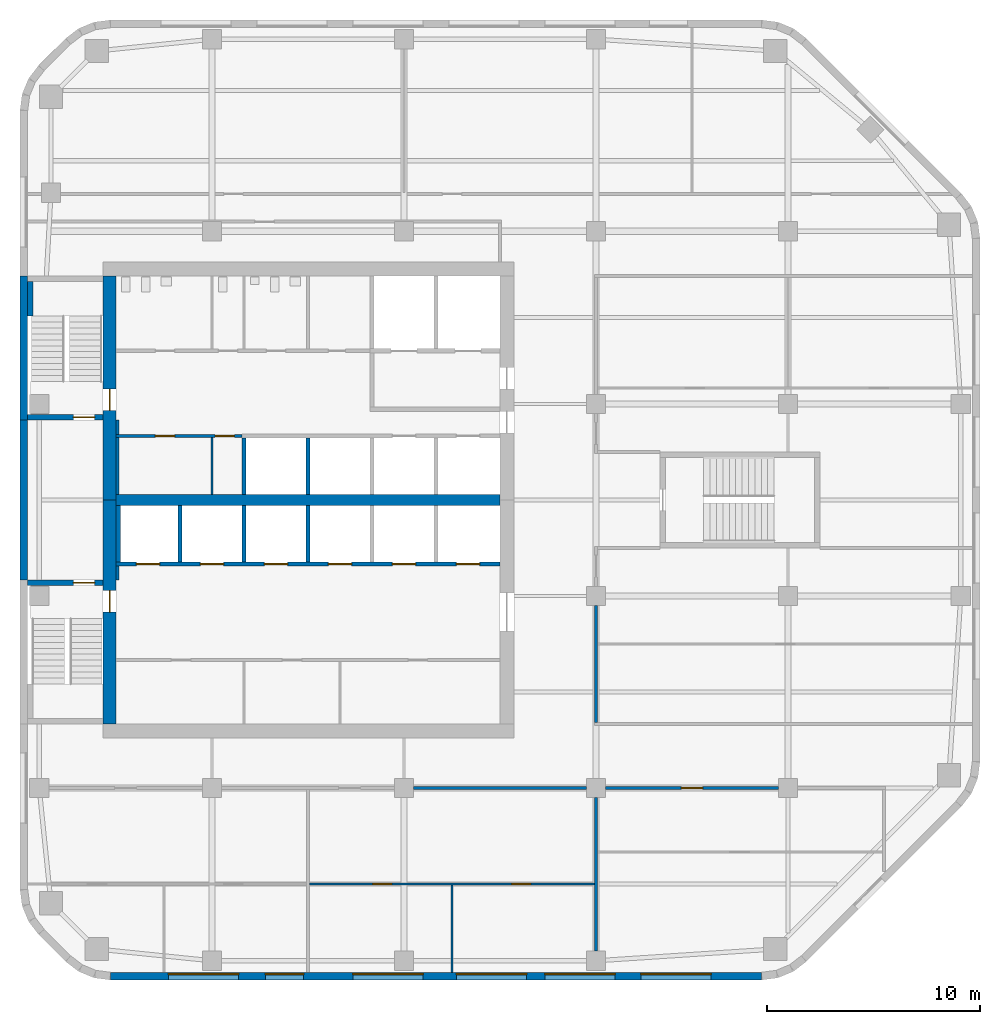
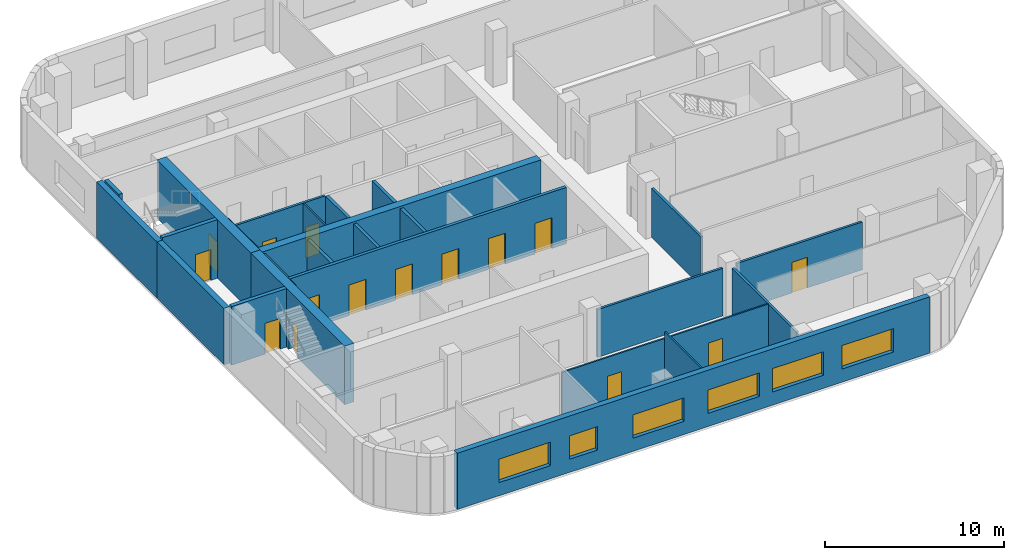
# One storey, part 3 of 8: 27 walls, 15 doors, 6 windows, 21 openings.
"""IFC4 building model written with IfcOpenShell, lengths in metres."""

from ifc_helpers import new_model, si_unit, direction, frame, frame_2d, origin, place, context, subcontext, project, spatial, rectangle, extrude, material, layer, layer_set, type_object, element, fill, save


model = new_model("IFC4")

# Units and contexts
model_context = context("Model", 3, precision=1e-05, world=origin(), true_north=direction((0.0, 1.0)))
body_context = subcontext(model_context, "Body", "Model", "MODEL_VIEW")
ifc_project = project(units=[si_unit("LENGTHUNIT", "METRE"), si_unit("AREAUNIT", "SQUARE_METRE"), si_unit("VOLUMEUNIT", "CUBIC_METRE"), si_unit("PLANEANGLEUNIT", "RADIAN"), si_unit("MASSUNIT", "GRAM", prefix="KILO")], contexts=[model_context])

# Site, building, storey
site_placement = place(None, origin())
site = spatial("IfcSite", under=ifc_project, at=site_placement, CompositionType="ELEMENT")
building_placement = place(site_placement, origin())
building = spatial("IfcBuilding", under=site, at=building_placement, Name="Cinnabar Reach Civic Tower", CompositionType="ELEMENT")
storey_placement = place(building_placement, frame((0.0, 0.0, 181.0)))
storey = spatial("IfcBuildingStorey", under=building, at=storey_placement, Name="L43", CompositionType="ELEMENT", Elevation=181.0)

# Wall, openings, windows
ifc_material_1 = material(Name="Facing brick with insulated backing", Category="masonry")
ifc_layer_1 = layer(ifc_material_1, 0.36)
ifc_layer_set_1 = layer_set([ifc_layer_1], Name="Brick pier and spandrel wall")
wall_type_1 = type_object("IfcWallType", Name="Brick pier and spandrel wall", PredefinedType="STANDARD", material=ifc_layer_set_1)
wall_1_placement = place(storey_placement, frame((4.2426, 9.18, 0.0), z_axis=(0.0, 0.0, 1.0), x_axis=(1.0, 0.0, 0.0)))
wall_1 = element("IfcWall", 1, at=wall_1_placement, inside=storey, type_object=wall_type_1, Name="Brick facade wall", PredefinedType="STANDARD", context=body_context, shape_type="SweptSolid", body=[
    extrude(rectangle(XDim=30.5148, YDim=0.36, at=frame_2d((15.2574, 0.0))), origin(), (0.0, 0.0, 1.0), 3.85),
])
opening_1_placement = place(wall_1_placement, frame((2.7074, 0.0, 0.9)))
opening_1 = element("IfcOpeningElement", 2, at=opening_1_placement, cuts=wall_1, Name="Opening W1881", PredefinedType="OPENING", context=body_context, shape_type="SweptSolid", body=[
    extrude(rectangle(XDim=3.3, YDim=1.6, at=frame_2d((1.65, 0.8))), frame((0.0, 0.19, 0.0), z_axis=(0.0, -1.0, 0.0), x_axis=(1.0, 0.0, 0.0)), (0.0, 0.0, 1.0), 0.38),
])
opening_2_placement = place(wall_1_placement, frame((7.2574, 0.0, 0.9)))
opening_2 = element("IfcOpeningElement", 3, at=opening_2_placement, cuts=wall_1, Name="Opening W1882", PredefinedType="OPENING", context=body_context, shape_type="SweptSolid", body=[
    extrude(rectangle(XDim=1.8, YDim=1.6, at=frame_2d((0.9, 0.8))), frame((0.0, 0.19, 0.0), z_axis=(0.0, -1.0, 0.0), x_axis=(1.0, 0.0, 0.0)), (0.0, 0.0, 1.0), 0.38),
])
opening_3_placement = place(wall_1_placement, frame((11.3574, 0.0, 0.9)))
opening_3 = element("IfcOpeningElement", 4, at=opening_3_placement, cuts=wall_1, Name="Opening W1883", PredefinedType="OPENING", context=body_context, shape_type="SweptSolid", body=[
    extrude(rectangle(XDim=3.3, YDim=1.6, at=frame_2d((1.65, 0.8))), frame((0.0, 0.19, 0.0), z_axis=(0.0, -1.0, 0.0), x_axis=(1.0, 0.0, 0.0)), (0.0, 0.0, 1.0), 0.38),
])
opening_4_placement = place(wall_1_placement, frame((16.2074, 0.0, 0.9)))
opening_4 = element("IfcOpeningElement", 5, at=opening_4_placement, cuts=wall_1, Name="Opening W1884", PredefinedType="OPENING", context=body_context, shape_type="SweptSolid", body=[
    extrude(rectangle(XDim=3.3, YDim=1.6, at=frame_2d((1.65, 0.8))), frame((0.0, 0.19, 0.0), z_axis=(0.0, -1.0, 0.0), x_axis=(1.0, 0.0, 0.0)), (0.0, 0.0, 1.0), 0.38),
])
opening_5_placement = place(wall_1_placement, frame((20.3574, 0.0, 0.9)))
opening_5 = element("IfcOpeningElement", 6, at=opening_5_placement, cuts=wall_1, Name="Opening W1885", PredefinedType="OPENING", context=body_context, shape_type="SweptSolid", body=[
    extrude(rectangle(XDim=3.3, YDim=1.6, at=frame_2d((1.65, 0.8))), frame((0.0, 0.19, 0.0), z_axis=(0.0, -1.0, 0.0), x_axis=(1.0, 0.0, 0.0)), (0.0, 0.0, 1.0), 0.38),
])
opening_6_placement = place(wall_1_placement, frame((24.8574, 0.0, 0.9)))
opening_6 = element("IfcOpeningElement", 7, at=opening_6_placement, cuts=wall_1, Name="Opening W1886", PredefinedType="OPENING", context=body_context, shape_type="SweptSolid", body=[
    extrude(rectangle(XDim=3.3, YDim=1.6, at=frame_2d((1.65, 0.8))), frame((0.0, 0.19, 0.0), z_axis=(0.0, -1.0, 0.0), x_axis=(1.0, 0.0, 0.0)), (0.0, 0.0, 1.0), 0.38),
])
ifc_material_2 = material(Name="Clear double glazing in aluminium frame", Category="aluminium")
window_type_1 = type_object("IfcWindowType", Name="Deep-set window A", PartitioningType="SINGLE_PANEL", PredefinedType="WINDOW", material=ifc_material_2)
window_1_placement = place(opening_1_placement, origin())
window_1 = element("IfcWindow", 8, at=window_1_placement, inside=storey, type_object=window_type_1, Name="Window south face", OverallHeight=1.6, OverallWidth=3.3, PartitioningType="SINGLE_PANEL", PredefinedType="WINDOW", context=body_context, shape_type="SweptSolid", body=[
    extrude(rectangle(XDim=3.3, YDim=1.6, at=frame_2d((1.65, 0.8))), frame((0.0, 0.13, 0.0), z_axis=(0.0, -1.0, 0.0), x_axis=(1.0, 0.0, 0.0)), (0.0, 0.0, 1.0), 0.06),
])
fill(opening_1, window_1)
window_2_placement = place(opening_3_placement, origin())
window_2 = element("IfcWindow", 9, at=window_2_placement, inside=storey, type_object=window_type_1, Name="Window south face", OverallHeight=1.6, OverallWidth=3.3, PartitioningType="SINGLE_PANEL", PredefinedType="WINDOW", context=body_context, shape_type="SweptSolid", body=[
    extrude(rectangle(XDim=3.3, YDim=1.6, at=frame_2d((1.65, 0.8))), frame((0.0, 0.13, 0.0), z_axis=(0.0, -1.0, 0.0), x_axis=(1.0, 0.0, 0.0)), (0.0, 0.0, 1.0), 0.06),
])
fill(opening_3, window_2)
window_3_placement = place(opening_4_placement, origin())
window_3 = element("IfcWindow", 10, at=window_3_placement, inside=storey, type_object=window_type_1, Name="Window south face", OverallHeight=1.6, OverallWidth=3.3, PartitioningType="SINGLE_PANEL", PredefinedType="WINDOW", context=body_context, shape_type="SweptSolid", body=[
    extrude(rectangle(XDim=3.3, YDim=1.6, at=frame_2d((1.65, 0.8))), frame((0.0, 0.13, 0.0), z_axis=(0.0, -1.0, 0.0), x_axis=(1.0, 0.0, 0.0)), (0.0, 0.0, 1.0), 0.06),
])
fill(opening_4, window_3)
window_4_placement = place(opening_5_placement, origin())
window_4 = element("IfcWindow", 11, at=window_4_placement, inside=storey, type_object=window_type_1, Name="Window south face", OverallHeight=1.6, OverallWidth=3.3, PartitioningType="SINGLE_PANEL", PredefinedType="WINDOW", context=body_context, shape_type="SweptSolid", body=[
    extrude(rectangle(XDim=3.3, YDim=1.6, at=frame_2d((1.65, 0.8))), frame((0.0, 0.13, 0.0), z_axis=(0.0, -1.0, 0.0), x_axis=(1.0, 0.0, 0.0)), (0.0, 0.0, 1.0), 0.06),
])
fill(opening_5, window_4)
window_5_placement = place(opening_6_placement, origin())
window_5 = element("IfcWindow", 12, at=window_5_placement, inside=storey, type_object=window_type_1, Name="Window south face", OverallHeight=1.6, OverallWidth=3.3, PartitioningType="SINGLE_PANEL", PredefinedType="WINDOW", context=body_context, shape_type="SweptSolid", body=[
    extrude(rectangle(XDim=3.3, YDim=1.6, at=frame_2d((1.65, 0.8))), frame((0.0, 0.13, 0.0), z_axis=(0.0, -1.0, 0.0), x_axis=(1.0, 0.0, 0.0)), (0.0, 0.0, 1.0), 0.06),
])
fill(opening_6, window_5)
window_type_2 = type_object("IfcWindowType", Name="Deep-set window D", PartitioningType="SINGLE_PANEL", PredefinedType="WINDOW", material=ifc_material_2)
window_6_placement = place(opening_2_placement, origin())
window_6 = element("IfcWindow", 13, at=window_6_placement, inside=storey, type_object=window_type_2, Name="Window south face", OverallHeight=1.6, OverallWidth=1.8, PartitioningType="SINGLE_PANEL", PredefinedType="WINDOW", context=body_context, shape_type="SweptSolid", body=[
    extrude(rectangle(XDim=1.8, YDim=1.6, at=frame_2d((0.9, 0.8))), frame((0.0, 0.13, 0.0), z_axis=(0.0, -1.0, 0.0), x_axis=(1.0, 0.0, 0.0)), (0.0, 0.0, 1.0), 0.06),
])
fill(opening_2, window_6)

# Walls
wall_2_placement = place(storey_placement, frame((0.18, 42.0, 0.0), z_axis=(0.0, 0.0, 1.0), x_axis=(0.0, -1.0, 0.0)))
element("IfcWall", 14, at=wall_2_placement, inside=storey, type_object=wall_type_1, Name="Brick facade wall", PredefinedType="STANDARD", context=body_context, shape_type="SweptSolid", body=[
    extrude(rectangle(XDim=6.75, YDim=0.36, at=frame_2d((3.375, 0.0))), origin(), (0.0, 0.0, 1.0), 3.85),
])
wall_3_placement = place(storey_placement, frame((0.18, 35.25, 0.0), z_axis=(0.0, 0.0, 1.0), x_axis=(0.0, -1.0, 0.0)))
element("IfcWall", 15, at=wall_3_placement, inside=storey, type_object=wall_type_1, Name="Brick facade wall", PredefinedType="STANDARD", context=body_context, shape_type="SweptSolid", body=[
    extrude(rectangle(XDim=7.5, YDim=0.36, at=frame_2d((3.75, 0.0))), origin(), (0.0, 0.0, 1.0), 3.85),
])
ifc_material_3 = material(Name="Concrete C60", Category="concrete")
ifc_layer_2 = layer(ifc_material_3, 0.5)
ifc_layer_set_2 = layer_set([ifc_layer_2], Name="Core wall 500 EI 180")
wall_type_2 = type_object("IfcWallType", Name="Core wall 500 EI 180", PredefinedType="SOLIDWALL", material=ifc_layer_set_2)
wall_4_placement = place(storey_placement, frame((4.5, 31.5, 0.0), z_axis=(0.0, 0.0, 1.0), x_axis=(1.0, 0.0, 0.0)))
element("IfcWall", 16, at=wall_4_placement, inside=storey, type_object=wall_type_2, Name="Core spine wall T1 L43", PredefinedType="SOLIDWALL", context=body_context, shape_type="SweptSolid", body=[
    extrude(rectangle(XDim=18.0, YDim=0.5, at=frame_2d((9.0, 0.0))), origin(), (0.0, 0.0, 1.0), 4.0),
])

# Wall, opening, door
ifc_material_4 = material(Name="Concrete C70", Category="concrete")
ifc_layer_3 = layer(ifc_material_4, 0.6)
ifc_layer_set_3 = layer_set([ifc_layer_3], Name="Core wall 600 EI 180")
wall_type_3 = type_object("IfcWallType", Name="Core wall 600 EI 180", PredefinedType="SOLIDWALL", material=ifc_layer_set_3)
wall_5_placement = place(storey_placement, frame((4.2, 42.0, 0.0), z_axis=(0.0, 0.0, 1.0), x_axis=(0.0, -1.0, 0.0)))
wall_5 = element("IfcWall", 17, at=wall_5_placement, inside=storey, type_object=wall_type_3, Name="Core wall T1 L43 W", PredefinedType="SOLIDWALL", context=body_context, shape_type="SweptSolid", body=[
    extrude(rectangle(XDim=10.5, YDim=0.6, at=frame_2d((5.25, 0.0))), origin(), (0.0, 0.0, 1.0), 4.0),
])
opening_7_placement = place(wall_5_placement, frame((5.3, 0.0, 0.0)))
opening_7 = element("IfcOpeningElement", 18, at=opening_7_placement, cuts=wall_5, Name="Opening D4753", PredefinedType="OPENING", context=body_context, shape_type="SweptSolid", body=[
    extrude(rectangle(XDim=1.0, YDim=2.1, at=frame_2d((0.5, 1.05))), frame((0.0, 0.31, 0.0), z_axis=(0.0, -1.0, 0.0), x_axis=(1.0, 0.0, 0.0)), (0.0, 0.0, 1.0), 0.62),
])
ifc_material_5 = material(Name="Timber door leaf in steel frame", Category="steel")
door_type_1 = type_object("IfcDoorType", Name="Stair door 1000 x 2100 T1", OperationType="SINGLE_SWING_LEFT", PredefinedType="DOOR", material=ifc_material_5)
door_1_placement = place(opening_7_placement, frame((1.0, 0.0, 0.0), z_axis=(0.0, 0.0, 1.0), x_axis=(-1.0, 0.0, 0.0)))
door_1 = element("IfcDoor", 19, at=door_1_placement, inside=storey, type_object=door_type_1, Name="Door D4753", OperationType="SINGLE_SWING_LEFT", OverallHeight=2.1, OverallWidth=1.0, PredefinedType="DOOR", context=body_context, shape_type="SweptSolid", body=[
    extrude(rectangle(XDim=1.0, YDim=2.1, at=frame_2d((0.5, 1.05))), frame((0.0, 0.025, 0.0), z_axis=(0.0, -1.0, 0.0), x_axis=(1.0, 0.0, 0.0)), (0.0, 0.0, 1.0), 0.05),
])
fill(opening_7, door_1)

wall_6_placement = place(storey_placement, frame((4.2, 31.5, 0.0), z_axis=(0.0, 0.0, 1.0), x_axis=(0.0, -1.0, 0.0)))
wall_6 = element("IfcWall", 20, at=wall_6_placement, inside=storey, type_object=wall_type_3, Name="Core wall T1 L43 W2", PredefinedType="SOLIDWALL", context=body_context, shape_type="SweptSolid", body=[
    extrude(rectangle(XDim=10.5, YDim=0.6, at=frame_2d((5.25, 0.0))), origin(), (0.0, 0.0, 1.0), 4.0),
])
opening_8_placement = place(wall_6_placement, frame((4.25, 0.0, 0.0)))
opening_8 = element("IfcOpeningElement", 21, at=opening_8_placement, cuts=wall_6, Name="Opening D4751", PredefinedType="OPENING", context=body_context, shape_type="SweptSolid", body=[
    extrude(rectangle(XDim=1.0, YDim=2.1, at=frame_2d((0.5, 1.05))), frame((0.0, 0.31, 0.0), z_axis=(0.0, -1.0, 0.0), x_axis=(1.0, 0.0, 0.0)), (0.0, 0.0, 1.0), 0.62),
])
door_2_placement = place(opening_8_placement, frame((1.0, 0.0, 0.0), z_axis=(0.0, 0.0, 1.0), x_axis=(-1.0, 0.0, 0.0)))
door_2 = element("IfcDoor", 22, at=door_2_placement, inside=storey, type_object=door_type_1, Name="Door D4751", OperationType="SINGLE_SWING_RIGHT", OverallHeight=2.1, OverallWidth=1.0, PredefinedType="DOOR", context=body_context, shape_type="SweptSolid", body=[
    extrude(rectangle(XDim=1.0, YDim=2.1, at=frame_2d((0.5, 1.05))), frame((0.0, 0.025, 0.0), z_axis=(0.0, -1.0, 0.0), x_axis=(1.0, 0.0, 0.0)), (0.0, 0.0, 1.0), 0.05),
])
fill(opening_8, door_2)

# Wall
ifc_material_6 = material(Name="Gypsum board on steel studs, double layer", Category="steel")
ifc_layer_4 = layer(ifc_material_6, 0.15)
ifc_layer_set_4 = layer_set([ifc_layer_4], Name="Corridor wall 150 T1")
wall_type_4 = type_object("IfcWallType", Name="Corridor wall 150 T1", PredefinedType="PARTITIONING", material=ifc_layer_set_4)
wall_7_placement = place(storey_placement, frame((18.45, 18.0, 0.0), z_axis=(0.0, 0.0, 1.0), x_axis=(1.0, 0.0, 0.0)))
element("IfcWall", 23, at=wall_7_placement, inside=storey, type_object=wall_type_4, Name="Corridor wall 22", PredefinedType="PARTITIONING", context=body_context, shape_type="SweptSolid", body=[
    extrude(rectangle(XDim=8.1, YDim=0.15, at=frame_2d((4.05, 0.0))), origin(), (0.0, 0.0, 1.0), 3.262),
])

# Wall, opening, door
wall_8_placement = place(storey_placement, frame((27.45, 18.0, 0.0), z_axis=(0.0, 0.0, 1.0), x_axis=(1.0, 0.0, 0.0)))
wall_8 = element("IfcWall", 24, at=wall_8_placement, inside=storey, type_object=wall_type_4, Name="Corridor wall 23", PredefinedType="PARTITIONING", context=body_context, shape_type="SweptSolid", body=[
    extrude(rectangle(XDim=8.1, YDim=0.15, at=frame_2d((4.05, 0.0))), origin(), (0.0, 0.0, 1.0), 3.262),
])
opening_9_placement = place(wall_8_placement, frame((3.55, 0.0, 0.0)))
opening_9 = element("IfcOpeningElement", 25, at=opening_9_placement, cuts=wall_8, Name="Opening D4789", PredefinedType="OPENING", context=body_context, shape_type="SweptSolid", body=[
    extrude(rectangle(XDim=1.0, YDim=2.1, at=frame_2d((0.5, 1.05))), frame((0.0, 0.085, 0.0), z_axis=(0.0, -1.0, 0.0), x_axis=(1.0, 0.0, 0.0)), (0.0, 0.0, 1.0), 0.17),
])
door_type_2 = type_object("IfcDoorType", Name="Tenancy entrance door 1000 x 2100 T1", OperationType="SINGLE_SWING_LEFT", PredefinedType="DOOR", material=ifc_material_5)
door_3_placement = place(opening_9_placement, frame((1.0, 0.0, 0.0), z_axis=(0.0, 0.0, 1.0), x_axis=(-1.0, 0.0, 0.0)))
door_3 = element("IfcDoor", 26, at=door_3_placement, inside=storey, type_object=door_type_2, Name="Door D4789", OperationType="SINGLE_SWING_RIGHT", OverallHeight=2.1, OverallWidth=1.0, PredefinedType="DOOR", context=body_context, shape_type="SweptSolid", body=[
    extrude(rectangle(XDim=1.0, YDim=2.1, at=frame_2d((0.5, 1.05))), frame((0.0, 0.025, 0.0), z_axis=(0.0, -1.0, 0.0), x_axis=(1.0, 0.0, 0.0)), (0.0, 0.0, 1.0), 0.05),
])
fill(opening_9, door_3)

# Wall
wall_9_placement = place(storey_placement, frame((27.0, 21.075, 0.0), z_axis=(0.0, 0.0, 1.0), x_axis=(0.0, 1.0, 0.0)))
element("IfcWall", 27, at=wall_9_placement, inside=storey, type_object=wall_type_4, Name="Corridor wall 30", PredefinedType="PARTITIONING", context=body_context, shape_type="SweptSolid", body=[
    extrude(rectangle(XDim=5.475, YDim=0.15, at=frame_2d((2.7375, 0.0))), origin(), (0.0, 0.0, 1.0), 3.362),
])

# Wall, openings, doors
wall_10_placement = place(storey_placement, frame((4.5, 34.5, 0.0), z_axis=(0.0, 0.0, 1.0), x_axis=(1.0, 0.0, 0.0)))
wall_10 = element("IfcWall", 28, at=wall_10_placement, inside=storey, type_object=wall_type_4, Name="Corridor wall 34", PredefinedType="PARTITIONING", context=body_context, shape_type="SweptSolid", body=[
    extrude(rectangle(XDim=5.9, YDim=0.15, at=frame_2d((2.95, 0.0))), origin(), (0.0, 0.0, 1.0), 3.85),
])
opening_10_placement = place(wall_10_placement, frame((1.85, 0.0, 0.0)))
opening_10 = element("IfcOpeningElement", 29, at=opening_10_placement, cuts=wall_10, Name="Opening D4772", PredefinedType="OPENING", context=body_context, shape_type="SweptSolid", body=[
    extrude(rectangle(XDim=0.9, YDim=2.1, at=frame_2d((0.45, 1.05))), frame((0.0, 0.085, 0.0), z_axis=(0.0, -1.0, 0.0), x_axis=(1.0, 0.0, 0.0)), (0.0, 0.0, 1.0), 0.17),
])
opening_11_placement = place(wall_10_placement, frame((4.65, 0.0, 0.0)))
opening_11 = element("IfcOpeningElement", 30, at=opening_11_placement, cuts=wall_10, Name="Opening D4773", PredefinedType="OPENING", context=body_context, shape_type="SweptSolid", body=[
    extrude(rectangle(XDim=0.9, YDim=2.1, at=frame_2d((0.45, 1.05))), frame((0.0, 0.085, 0.0), z_axis=(0.0, -1.0, 0.0), x_axis=(1.0, 0.0, 0.0)), (0.0, 0.0, 1.0), 0.17),
])
door_type_3 = type_object("IfcDoorType", Name="Single swing door 900 x 2100 corridor T1", OperationType="SINGLE_SWING_LEFT", PredefinedType="DOOR", material=ifc_material_5)
door_4_placement = place(opening_10_placement, frame((0.9, 0.0, 0.0), z_axis=(0.0, 0.0, 1.0), x_axis=(-1.0, 0.0, 0.0)))
door_4 = element("IfcDoor", 31, at=door_4_placement, inside=storey, type_object=door_type_3, Name="Door D4772", OperationType="SINGLE_SWING_RIGHT", OverallHeight=2.1, OverallWidth=0.9, PredefinedType="DOOR", context=body_context, shape_type="SweptSolid", body=[
    extrude(rectangle(XDim=0.9, YDim=2.1, at=frame_2d((0.45, 1.05))), frame((0.0, 0.025, 0.0), z_axis=(0.0, -1.0, 0.0), x_axis=(1.0, 0.0, 0.0)), (0.0, 0.0, 1.0), 0.05),
])
fill(opening_10, door_4)
door_5_placement = place(opening_11_placement, frame((0.9, 0.0, 0.0), z_axis=(0.0, 0.0, 1.0), x_axis=(-1.0, 0.0, 0.0)))
door_5 = element("IfcDoor", 32, at=door_5_placement, inside=storey, type_object=door_type_3, Name="Door D4773", OperationType="SINGLE_SWING_RIGHT", OverallHeight=2.1, OverallWidth=0.9, PredefinedType="DOOR", context=body_context, shape_type="SweptSolid", body=[
    extrude(rectangle(XDim=0.9, YDim=2.1, at=frame_2d((0.45, 1.05))), frame((0.0, 0.025, 0.0), z_axis=(0.0, -1.0, 0.0), x_axis=(1.0, 0.0, 0.0)), (0.0, 0.0, 1.0), 0.05),
])
fill(opening_11, door_5)

# Walls
wall_11_placement = place(storey_placement, frame((4.575, 34.575, 0.0), z_axis=(0.0, 0.0, 1.0), x_axis=(0.0, 1.0, 0.0)))
element("IfcWall", 33, at=wall_11_placement, inside=storey, type_object=wall_type_4, Name="Corridor wall 36", PredefinedType="PARTITIONING", context=body_context, shape_type="SweptSolid", body=[
    extrude(rectangle(XDim=0.675, YDim=0.15, at=frame_2d((0.3375, 0.0))), origin(), (0.0, 0.0, 1.0), 3.85),
])
wall_12_placement = place(storey_placement, frame((4.575, 31.75, 0.0), z_axis=(0.0, 0.0, 1.0), x_axis=(0.0, 1.0, 0.0)))
element("IfcWall", 34, at=wall_12_placement, inside=storey, type_object=wall_type_4, Name="Corridor wall 37", PredefinedType="PARTITIONING", context=body_context, shape_type="SweptSolid", body=[
    extrude(rectangle(XDim=2.675, YDim=0.15, at=frame_2d((1.3375, 0.0))), origin(), (0.0, 0.0, 1.0), 3.85),
])
wall_13_placement = place(storey_placement, frame((4.575, 27.75, 0.0), z_axis=(0.0, 0.0, 1.0), x_axis=(0.0, 1.0, 0.0)))
element("IfcWall", 35, at=wall_13_placement, inside=storey, type_object=wall_type_4, Name="Corridor wall 41", PredefinedType="PARTITIONING", context=body_context, shape_type="SweptSolid", body=[
    extrude(rectangle(XDim=0.65, YDim=0.15, at=frame_2d((0.325, 0.0))), origin(), (0.0, 0.0, 1.0), 3.85),
])

# Wall, openings, doors
ifc_material_7 = material(Name="Blockwork", Category="masonry")
ifc_layer_5 = layer(ifc_material_7, 0.2)
ifc_layer_set_5 = layer_set([ifc_layer_5], Name="Lift shaft wall 200 T1")
wall_type_5 = type_object("IfcWallType", Name="Lift shaft wall 200 T1", PredefinedType="PARTITIONING", material=ifc_layer_set_5)
wall_14_placement = place(storey_placement, frame((4.5, 28.5, 0.0), z_axis=(0.0, 0.0, 1.0), x_axis=(1.0, 0.0, 0.0)))
wall_14 = element("IfcWall", 36, at=wall_14_placement, inside=storey, type_object=wall_type_5, Name="Lift shaft wall 4", PredefinedType="PARTITIONING", context=body_context, shape_type="SweptSolid", body=[
    extrude(rectangle(XDim=18.0, YDim=0.2, at=frame_2d((9.0, 0.0))), origin(), (0.0, 0.0, 1.0), 3.85),
])
opening_12_placement = place(wall_14_placement, frame((0.95, 0.0, 0.0)))
opening_12 = element("IfcOpeningElement", 37, at=opening_12_placement, cuts=wall_14, Name="Opening D4755", PredefinedType="OPENING", context=body_context, shape_type="SweptSolid", body=[
    extrude(rectangle(XDim=1.1, YDim=2.1, at=frame_2d((0.55, 1.05))), frame((0.0, 0.11, 0.0), z_axis=(0.0, -1.0, 0.0), x_axis=(1.0, 0.0, 0.0)), (0.0, 0.0, 1.0), 0.22),
])
opening_13_placement = place(wall_14_placement, frame((3.95, 0.0, 0.0)))
opening_13 = element("IfcOpeningElement", 38, at=opening_13_placement, cuts=wall_14, Name="Opening D4756", PredefinedType="OPENING", context=body_context, shape_type="SweptSolid", body=[
    extrude(rectangle(XDim=1.1, YDim=2.1, at=frame_2d((0.55, 1.05))), frame((0.0, 0.11, 0.0), z_axis=(0.0, -1.0, 0.0), x_axis=(1.0, 0.0, 0.0)), (0.0, 0.0, 1.0), 0.22),
])
opening_14_placement = place(wall_14_placement, frame((6.95, 0.0, 0.0)))
opening_14 = element("IfcOpeningElement", 39, at=opening_14_placement, cuts=wall_14, Name="Opening D4757", PredefinedType="OPENING", context=body_context, shape_type="SweptSolid", body=[
    extrude(rectangle(XDim=1.1, YDim=2.1, at=frame_2d((0.55, 1.05))), frame((0.0, 0.11, 0.0), z_axis=(0.0, -1.0, 0.0), x_axis=(1.0, 0.0, 0.0)), (0.0, 0.0, 1.0), 0.22),
])
opening_15_placement = place(wall_14_placement, frame((9.95, 0.0, 0.0)))
opening_15 = element("IfcOpeningElement", 40, at=opening_15_placement, cuts=wall_14, Name="Opening D4758", PredefinedType="OPENING", context=body_context, shape_type="SweptSolid", body=[
    extrude(rectangle(XDim=1.1, YDim=2.1, at=frame_2d((0.55, 1.05))), frame((0.0, 0.11, 0.0), z_axis=(0.0, -1.0, 0.0), x_axis=(1.0, 0.0, 0.0)), (0.0, 0.0, 1.0), 0.22),
])
opening_16_placement = place(wall_14_placement, frame((12.95, 0.0, 0.0)))
opening_16 = element("IfcOpeningElement", 41, at=opening_16_placement, cuts=wall_14, Name="Opening D4759", PredefinedType="OPENING", context=body_context, shape_type="SweptSolid", body=[
    extrude(rectangle(XDim=1.1, YDim=2.1, at=frame_2d((0.55, 1.05))), frame((0.0, 0.11, 0.0), z_axis=(0.0, -1.0, 0.0), x_axis=(1.0, 0.0, 0.0)), (0.0, 0.0, 1.0), 0.22),
])
opening_17_placement = place(wall_14_placement, frame((15.95, 0.0, 0.0)))
opening_17 = element("IfcOpeningElement", 42, at=opening_17_placement, cuts=wall_14, Name="Opening D4760", PredefinedType="OPENING", context=body_context, shape_type="SweptSolid", body=[
    extrude(rectangle(XDim=1.1, YDim=2.1, at=frame_2d((0.55, 1.05))), frame((0.0, 0.11, 0.0), z_axis=(0.0, -1.0, 0.0), x_axis=(1.0, 0.0, 0.0)), (0.0, 0.0, 1.0), 0.22),
])
ifc_material_8 = material(Name="Stainless steel sliding door", Category="steel")
door_type_4 = type_object("IfcDoorType", Name="Lift landing door 1100 x 2100 T1", OperationType="SLIDING_TO_LEFT", PredefinedType="DOOR", material=ifc_material_8)
door_6_placement = place(opening_12_placement, origin())
door_6 = element("IfcDoor", 43, at=door_6_placement, inside=storey, type_object=door_type_4, Name="Lift landing door HR1 L43", OperationType="SLIDING_TO_LEFT", OverallHeight=2.1, OverallWidth=1.1, PredefinedType="DOOR", context=body_context, shape_type="SweptSolid", body=[
    extrude(rectangle(XDim=1.1, YDim=2.1, at=frame_2d((0.55, 1.05))), frame((0.0, 0.025, 0.0), z_axis=(0.0, -1.0, 0.0), x_axis=(1.0, 0.0, 0.0)), (0.0, 0.0, 1.0), 0.05),
])
fill(opening_12, door_6)
door_7_placement = place(opening_13_placement, origin())
door_7 = element("IfcDoor", 44, at=door_7_placement, inside=storey, type_object=door_type_4, Name="Lift landing door HR2 L43", OperationType="SLIDING_TO_LEFT", OverallHeight=2.1, OverallWidth=1.1, PredefinedType="DOOR", context=body_context, shape_type="SweptSolid", body=[
    extrude(rectangle(XDim=1.1, YDim=2.1, at=frame_2d((0.55, 1.05))), frame((0.0, 0.025, 0.0), z_axis=(0.0, -1.0, 0.0), x_axis=(1.0, 0.0, 0.0)), (0.0, 0.0, 1.0), 0.05),
])
fill(opening_13, door_7)
door_8_placement = place(opening_14_placement, origin())
door_8 = element("IfcDoor", 45, at=door_8_placement, inside=storey, type_object=door_type_4, Name="Lift landing door HR3 L43", OperationType="SLIDING_TO_LEFT", OverallHeight=2.1, OverallWidth=1.1, PredefinedType="DOOR", context=body_context, shape_type="SweptSolid", body=[
    extrude(rectangle(XDim=1.1, YDim=2.1, at=frame_2d((0.55, 1.05))), frame((0.0, 0.025, 0.0), z_axis=(0.0, -1.0, 0.0), x_axis=(1.0, 0.0, 0.0)), (0.0, 0.0, 1.0), 0.05),
])
fill(opening_14, door_8)
door_9_placement = place(opening_15_placement, origin())
door_9 = element("IfcDoor", 46, at=door_9_placement, inside=storey, type_object=door_type_4, Name="Lift landing door HR4 L43", OperationType="SLIDING_TO_LEFT", OverallHeight=2.1, OverallWidth=1.1, PredefinedType="DOOR", context=body_context, shape_type="SweptSolid", body=[
    extrude(rectangle(XDim=1.1, YDim=2.1, at=frame_2d((0.55, 1.05))), frame((0.0, 0.025, 0.0), z_axis=(0.0, -1.0, 0.0), x_axis=(1.0, 0.0, 0.0)), (0.0, 0.0, 1.0), 0.05),
])
fill(opening_15, door_9)
door_10_placement = place(opening_16_placement, origin())
door_10 = element("IfcDoor", 47, at=door_10_placement, inside=storey, type_object=door_type_4, Name="Lift landing door HR5 L43", OperationType="SLIDING_TO_LEFT", OverallHeight=2.1, OverallWidth=1.1, PredefinedType="DOOR", context=body_context, shape_type="SweptSolid", body=[
    extrude(rectangle(XDim=1.1, YDim=2.1, at=frame_2d((0.55, 1.05))), frame((0.0, 0.025, 0.0), z_axis=(0.0, -1.0, 0.0), x_axis=(1.0, 0.0, 0.0)), (0.0, 0.0, 1.0), 0.05),
])
fill(opening_16, door_10)
door_11_placement = place(opening_17_placement, origin())
door_11 = element("IfcDoor", 48, at=door_11_placement, inside=storey, type_object=door_type_4, Name="Lift landing door HR6 L43", OperationType="SLIDING_TO_LEFT", OverallHeight=2.1, OverallWidth=1.1, PredefinedType="DOOR", context=body_context, shape_type="SweptSolid", body=[
    extrude(rectangle(XDim=1.1, YDim=2.1, at=frame_2d((0.55, 1.05))), frame((0.0, 0.025, 0.0), z_axis=(0.0, -1.0, 0.0), x_axis=(1.0, 0.0, 0.0)), (0.0, 0.0, 1.0), 0.05),
])
fill(opening_17, door_11)

# Walls
for number, where, z_axis, x_axis, name in (
    (49, (10.5, 28.6, 0.0), (0.0, 0.0, 1.0), (0.0, 1.0, 0.0), "Lift shaft wall 6"),
    (50, (10.5, 31.75, 0.0), (0.0, 0.0, 1.0), (0.0, 1.0, 0.0), "Lift shaft wall 7"),
    (51, (13.5, 28.6, 0.0), (0.0, 0.0, 1.0), (0.0, 1.0, 0.0), "Lift shaft wall 8"),
    (52, (13.5, 31.75, 0.0), (0.0, 0.0, 1.0), (0.0, 1.0, 0.0), "Lift shaft wall 9"),
    (53, (4.6, 28.6, 0.0), (0.0, 0.0, 1.0), (0.0, 1.0, 0.0), "Lift shaft wall 16"),
    (54, (7.5, 28.6, 0.0), (0.0, 0.0, 1.0), (0.0, 1.0, 0.0), "Lift shaft wall 17"),
):
    element("IfcWall", number, at=place(storey_placement, frame(where, z_axis=z_axis, x_axis=x_axis)), inside=storey, type_object=wall_type_5, Name=name, PredefinedType="PARTITIONING", context=body_context, shape_type="SweptSolid", body=[
        extrude(rectangle(XDim=2.65, YDim=0.2, at=frame_2d((1.325, 0.0))), origin(), (0.0, 0.0, 1.0), 3.85),
    ])

# Wall, openings, doors
ifc_material_9 = material(Name="Gypsum board on steel studs", Category="steel")
ifc_layer_6 = layer(ifc_material_9, 0.1)
ifc_layer_set_6 = layer_set([ifc_layer_6], Name="Partition wall 100 T1")
wall_type_6 = type_object("IfcWallType", Name="Partition wall 100 T1", PredefinedType="PARTITIONING", material=ifc_layer_set_6)
wall_15_placement = place(storey_placement, frame((13.575, 13.5, 0.0), z_axis=(0.0, 0.0, 1.0), x_axis=(1.0, 0.0, 0.0)))
wall_15 = element("IfcWall", 55, at=wall_15_placement, inside=storey, type_object=wall_type_6, Name="Partition wall 46", PredefinedType="PARTITIONING", context=body_context, shape_type="SweptSolid", body=[
    extrude(rectangle(XDim=13.35, YDim=0.1, at=frame_2d((6.675, 0.0))), origin(), (0.0, 0.0, 1.0), 3.4),
])
opening_18_placement = place(wall_15_placement, frame((2.95, 0.0, 0.0)))
opening_18 = element("IfcOpeningElement", 56, at=opening_18_placement, cuts=wall_15, Name="Opening D4787", PredefinedType="OPENING", context=body_context, shape_type="SweptSolid", body=[
    extrude(rectangle(XDim=0.9, YDim=2.1, at=frame_2d((0.45, 1.05))), frame((0.0, 0.06, 0.0), z_axis=(0.0, -1.0, 0.0), x_axis=(1.0, 0.0, 0.0)), (0.0, 0.0, 1.0), 0.12),
])
opening_19_placement = place(wall_15_placement, frame((9.475, 0.0, 0.0)))
opening_19 = element("IfcOpeningElement", 57, at=opening_19_placement, cuts=wall_15, Name="Opening D4788", PredefinedType="OPENING", context=body_context, shape_type="SweptSolid", body=[
    extrude(rectangle(XDim=0.9, YDim=2.1, at=frame_2d((0.45, 1.05))), frame((0.0, 0.06, 0.0), z_axis=(0.0, -1.0, 0.0), x_axis=(1.0, 0.0, 0.0)), (0.0, 0.0, 1.0), 0.12),
])
door_type_5 = type_object("IfcDoorType", Name="Single swing door 900 x 2100 T1", OperationType="SINGLE_SWING_LEFT", PredefinedType="DOOR", material=ifc_material_5)
door_12_placement = place(opening_18_placement, frame((0.9, 0.0, 0.0), z_axis=(0.0, 0.0, 1.0), x_axis=(-1.0, 0.0, 0.0)))
door_12 = element("IfcDoor", 58, at=door_12_placement, inside=storey, type_object=door_type_5, Name="Door D4787", OperationType="SINGLE_SWING_LEFT", OverallHeight=2.1, OverallWidth=0.9, PredefinedType="DOOR", context=body_context, shape_type="SweptSolid", body=[
    extrude(rectangle(XDim=0.9, YDim=2.1, at=frame_2d((0.45, 1.05))), frame((0.0, 0.025, 0.0), z_axis=(0.0, -1.0, 0.0), x_axis=(1.0, 0.0, 0.0)), (0.0, 0.0, 1.0), 0.05),
])
fill(opening_18, door_12)
door_13_placement = place(opening_19_placement, frame((0.9, 0.0, 0.0), z_axis=(0.0, 0.0, 1.0), x_axis=(-1.0, 0.0, 0.0)))
door_13 = element("IfcDoor", 59, at=door_13_placement, inside=storey, type_object=door_type_5, Name="Door D4788", OperationType="SINGLE_SWING_LEFT", OverallHeight=2.1, OverallWidth=0.9, PredefinedType="DOOR", context=body_context, shape_type="SweptSolid", body=[
    extrude(rectangle(XDim=0.9, YDim=2.1, at=frame_2d((0.45, 1.05))), frame((0.0, 0.025, 0.0), z_axis=(0.0, -1.0, 0.0), x_axis=(1.0, 0.0, 0.0)), (0.0, 0.0, 1.0), 0.05),
])
fill(opening_19, door_13)

# Walls
wall_16_placement = place(storey_placement, frame((20.25, 9.36, 0.0), z_axis=(0.0, 0.0, 1.0), x_axis=(0.0, 1.0, 0.0)))
element("IfcWall", 60, at=wall_16_placement, inside=storey, type_object=wall_type_6, Name="Partition wall 55", PredefinedType="PARTITIONING", context=body_context, shape_type="SweptSolid", body=[
    extrude(rectangle(XDim=4.09, YDim=0.1, at=frame_2d((2.045, 0.0))), origin(), (0.0, 0.0, 1.0), 3.85),
])
wall_17_placement = place(storey_placement, frame((9.0, 31.75, 0.0), z_axis=(0.0, 0.0, 1.0), x_axis=(0.0, 1.0, 0.0)))
element("IfcWall", 61, at=wall_17_placement, inside=storey, type_object=wall_type_6, Name="Partition wall 58", PredefinedType="PARTITIONING", context=body_context, shape_type="SweptSolid", body=[
    extrude(rectangle(XDim=2.675, YDim=0.1, at=frame_2d((1.3375, 0.0))), origin(), (0.0, 0.0, 1.0), 3.85),
])

# Wall, opening, door
ifc_layer_7 = layer(ifc_material_3, 0.25)
ifc_layer_set_7 = layer_set([ifc_layer_7], Name="Stair shaft wall 250 EI 120")
wall_type_7 = type_object("IfcWallType", Name="Stair shaft wall 250 EI 120", PredefinedType="SOLIDWALL", material=ifc_layer_set_7)
wall_18_placement = place(storey_placement, frame((3.9, 27.625, 0.0), z_axis=(0.0, 0.0, 1.0), x_axis=(-1.0, 0.0, 0.0)))
wall_18 = element("IfcWall", 62, at=wall_18_placement, inside=storey, type_object=wall_type_7, Name="Stair shaft wall T1-S1 L43", PredefinedType="SOLIDWALL", context=body_context, shape_type="SweptSolid", body=[
    extrude(rectangle(XDim=3.54, YDim=0.25, at=frame_2d((1.77, 0.0))), origin(), (0.0, 0.0, 1.0), 4.0),
])
opening_20_placement = place(wall_18_placement, frame((0.4, 0.0, 0.0)))
opening_20 = element("IfcOpeningElement", 63, at=opening_20_placement, cuts=wall_18, Name="Opening D4752", PredefinedType="OPENING", context=body_context, shape_type="SweptSolid", body=[
    extrude(rectangle(XDim=1.0, YDim=2.1, at=frame_2d((0.5, 1.05))), frame((0.0, 0.135, 0.0), z_axis=(0.0, -1.0, 0.0), x_axis=(1.0, 0.0, 0.0)), (0.0, 0.0, 1.0), 0.27),
])
door_14_placement = place(opening_20_placement, origin())
door_14 = element("IfcDoor", 64, at=door_14_placement, inside=storey, type_object=door_type_1, Name="Door D4752", OperationType="SINGLE_SWING_LEFT", OverallHeight=2.1, OverallWidth=1.0, PredefinedType="DOOR", context=body_context, shape_type="SweptSolid", body=[
    extrude(rectangle(XDim=1.0, YDim=2.1, at=frame_2d((0.5, 1.05))), frame((0.0, 0.025, 0.0), z_axis=(0.0, -1.0, 0.0), x_axis=(1.0, 0.0, 0.0)), (0.0, 0.0, 1.0), 0.05),
])
fill(opening_20, door_14)

wall_19_placement = place(storey_placement, frame((0.36, 35.375, 0.0), z_axis=(0.0, 0.0, 1.0), x_axis=(1.0, 0.0, 0.0)))
wall_19 = element("IfcWall", 65, at=wall_19_placement, inside=storey, type_object=wall_type_7, Name="Stair shaft wall T1-S2 L43", PredefinedType="SOLIDWALL", context=body_context, shape_type="SweptSolid", body=[
    extrude(rectangle(XDim=3.54, YDim=0.25, at=frame_2d((1.77, 0.0))), origin(), (0.0, 0.0, 1.0), 4.0),
])
opening_21_placement = place(wall_19_placement, frame((2.14, 0.0, 0.0)))
opening_21 = element("IfcOpeningElement", 66, at=opening_21_placement, cuts=wall_19, Name="Opening D4754", PredefinedType="OPENING", context=body_context, shape_type="SweptSolid", body=[
    extrude(rectangle(XDim=1.0, YDim=2.1, at=frame_2d((0.5, 1.05))), frame((0.0, 0.135, 0.0), z_axis=(0.0, -1.0, 0.0), x_axis=(1.0, 0.0, 0.0)), (0.0, 0.0, 1.0), 0.27),
])
door_15_placement = place(opening_21_placement, origin())
door_15 = element("IfcDoor", 67, at=door_15_placement, inside=storey, type_object=door_type_1, Name="Door D4754", OperationType="SINGLE_SWING_RIGHT", OverallHeight=2.1, OverallWidth=1.0, PredefinedType="DOOR", context=body_context, shape_type="SweptSolid", body=[
    extrude(rectangle(XDim=1.0, YDim=2.1, at=frame_2d((0.5, 1.05))), frame((0.0, 0.025, 0.0), z_axis=(0.0, -1.0, 0.0), x_axis=(1.0, 0.0, 0.0)), (0.0, 0.0, 1.0), 0.05),
])
fill(opening_21, door_15)

# Walls
ifc_material_10 = material(Name="Concrete C40/50", Category="concrete")
ifc_layer_8 = layer(ifc_material_10, 0.24)
ifc_layer_set_8 = layer_set([ifc_layer_8], Name="T1 landing bearer wall 240")
wall_type_8 = type_object("IfcWallType", Name="T1 landing bearer wall 240", PredefinedType="STANDARD", material=ifc_layer_set_8)
wall_20_placement = place(storey_placement, frame((0.48, 40.13, 0.0), z_axis=(0.0, 0.0, 1.0), x_axis=(0.0, 1.0, 0.0)))
element("IfcWall", 68, at=wall_20_placement, inside=storey, type_object=wall_type_8, Name="T1-S2 landing bearer wall", PredefinedType="STANDARD", context=body_context, shape_type="SweptSolid", body=[
    extrude(rectangle(XDim=1.62, YDim=0.24, at=frame_2d((0.81, 0.0))), origin(), (0.0, 0.0, 1.0), 4.0),
])
ifc_layer_9 = layer(ifc_material_6, 0.15)
ifc_layer_set_9 = layer_set([ifc_layer_9], Name="Tenancy separating wall 150 T1")
wall_type_9 = type_object("IfcWallType", Name="Tenancy separating wall 150 T1", PredefinedType="PARTITIONING", material=ifc_layer_set_9)
wall_21_placement = place(storey_placement, frame((27.0, 10.35, 0.0), z_axis=(0.0, 0.0, 1.0), x_axis=(0.0, 1.0, 0.0)))
element("IfcWall", 69, at=wall_21_placement, inside=storey, type_object=wall_type_9, Name="Tenancy separating wall 44", PredefinedType="PARTITIONING", context=body_context, shape_type="SweptSolid", body=[
    extrude(rectangle(XDim=7.2, YDim=0.15, at=frame_2d((3.6, 0.0))), origin(), (0.0, 0.0, 1.0), 3.362),
])

save(model, "model.ifc")
